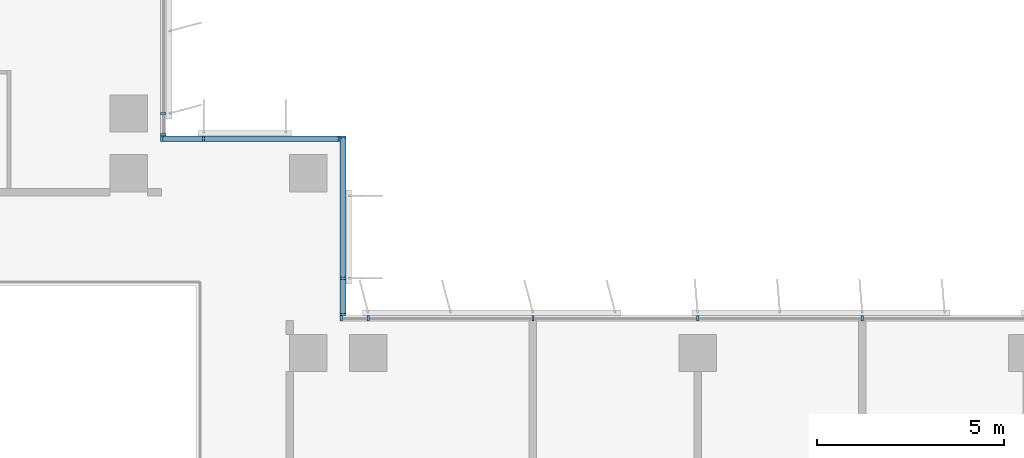
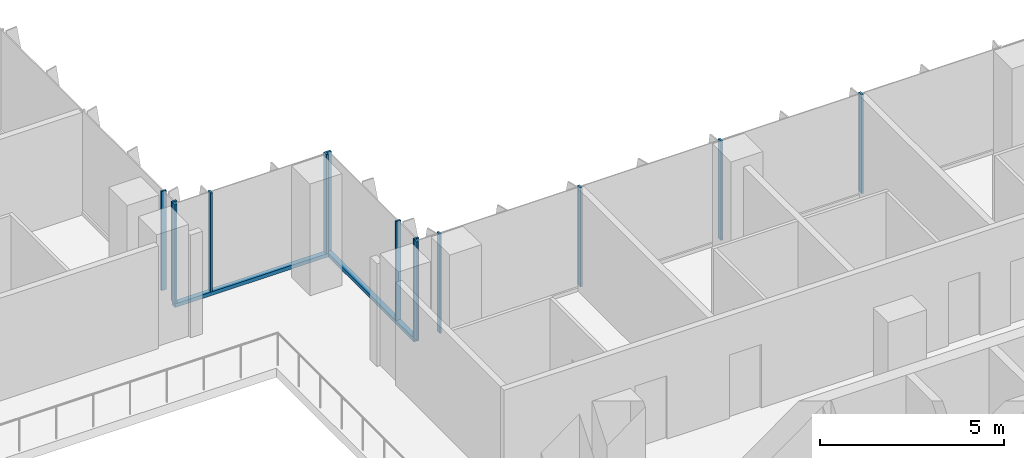
# One storey, part 2 of 21: 15 members, 4 elements without a shape of their own.
"""IFC4 building model written with IfcOpenShell, lengths in metres."""

from ifc_helpers import new_model, si_unit, direction, frame, origin, origin_2d, place, context, subcontext, project, spatial, rectangle, extrude, source, transform, mapped, material, material_profile, profile_set, type_object, element, aggregate, save


model = new_model("IFC4")

# Units and contexts
model_context = context("Model", 3, precision=1e-05, world=origin(), true_north=direction((0.0, 1.0)))
body_context = subcontext(model_context, "Body", "Model", "MODEL_VIEW")
ifc_project = project(units=[si_unit("LENGTHUNIT", "METRE"), si_unit("AREAUNIT", "SQUARE_METRE"), si_unit("VOLUMEUNIT", "CUBIC_METRE"), si_unit("PLANEANGLEUNIT", "RADIAN"), si_unit("MASSUNIT", "GRAM", prefix="KILO")], contexts=[model_context])

# Site, building, storey
site_placement = place(None, origin())
site = spatial("IfcSite", under=ifc_project, at=site_placement, CompositionType="ELEMENT")
building_placement = place(site_placement, origin())
building = spatial("IfcBuilding", under=site, at=building_placement, Name="Kemantara Hotel Tower", CompositionType="ELEMENT")
storey_placement = place(building_placement, frame((0.0, 0.0, 215.39990234375)))
storey = spatial("IfcBuildingStorey", under=building, at=storey_placement, Name="L53", CompositionType="ELEMENT", Elevation=215.39990234375)

# Curtain wall, member
ifc_material_1 = material(Name="Low-E tinted double insulated glass 36 mm", Category="glass")
curtain_wall_type = type_object("IfcCurtainWallType", Name="TOWER CURTAIN WALL, FRONT FACES", PredefinedType="USERDEFINED", material=ifc_material_1)
curtain_wall_1_placement = place(storey_placement, origin())
curtain_wall_1 = element("IfcCurtainWall", 1, at=curtain_wall_1_placement, inside=storey, type_object=curtain_wall_type, Name="CW4 L53 T3-R15-1", ObjectType="TOWER CURTAIN WALL, FRONT FACES", PredefinedType="USERDEFINED")
ifc_material_2 = material(Name="Aluminium 6063-T6 bronze anodised", Category="aluminium")
ifc_material_profile_1 = material_profile(ifc_material_2, rectangle(XDim=0.14990234375, YDim=0.1201171875, at=origin_2d()), Name="TOWER CURTAIN WALL, FRONT FACES TRANSOM")
ifc_profile_set_1 = profile_set([ifc_material_profile_1], Name="Aluminium 6063-T6 bronze anodised")
member_type_1 = type_object("IfcMemberType", Name="TOWER CURTAIN WALL, FRONT FACES TRANSOM", PredefinedType="USERDEFINED", material=ifc_profile_set_1)
member_1_placement = place(storey_placement, frame((26.72509765625, 22.0, 0.06005859375), z_axis=(0.0, 1.0, 0.0), x_axis=(-1.0, 0.0, 0.0)))
member_1 = element("IfcMember", 2, at=member_1_placement, type_object=member_type_1, Name="CW4 sill transom T3-R15-1", ObjectType="TRANSOM", PredefinedType="USERDEFINED", context=body_context, shape_type="SweptSolid", body=[
    extrude(rectangle(XDim=0.14990234375, YDim=0.1201171875, at=origin_2d()), origin(), (0.0, 0.0, 1.0), 4.800048828125),
])

curtain_wall_2_placement = place(storey_placement, origin())
curtain_wall_2 = element("IfcCurtainWall", 3, at=curtain_wall_2_placement, inside=storey, type_object=curtain_wall_type, Name="CW4 L53 T3-R16-1", ObjectType="TOWER CURTAIN WALL, FRONT FACES", PredefinedType="USERDEFINED")
member_2_placement = place(storey_placement, frame((26.64990234375, 26.72509765625, 0.06005859375), z_axis=(-1.0, 0.0, 0.0), x_axis=(0.0, -1.0, 0.0)))
member_2 = element("IfcMember", 4, at=member_2_placement, type_object=member_type_1, Name="CW4 sill transom T3-R16-1", ObjectType="TRANSOM", PredefinedType="USERDEFINED", context=body_context, shape_type="SweptSolid", body=[
    extrude(rectangle(XDim=0.14990234375, YDim=0.1201171875, at=origin_2d()), origin(), (0.0, 0.0, 1.0), 4.7998046875),
])

# Curtain wall, members
curtain_wall_3_placement = place(storey_placement, origin())
curtain_wall_3 = element("IfcCurtainWall", 5, at=curtain_wall_3_placement, inside=storey, type_object=curtain_wall_type, Name="CW4 L53 T3-R14-1", ObjectType="TOWER CURTAIN WALL, FRONT FACES", PredefinedType="USERDEFINED")
ifc_material_profile_2 = material_profile(ifc_material_2, rectangle(XDim=0.14990234375, YDim=0.06005859375, at=origin_2d()), Name="TOWER CURTAIN WALL, FRONT FACES MULLION")
ifc_profile_set_2 = profile_set([ifc_material_profile_2], Name="Aluminium 6063-T6 bronze anodised")
member_type_2 = type_object("IfcMemberType", Name="TOWER CURTAIN WALL, FRONT FACES MULLION", PredefinedType="MULLION", material=ifc_profile_set_2)
shared_shape = source(origin(), body_context, "Body", "SweptSolid", [
    extrude(rectangle(XDim=0.14990234375, YDim=0.06005859375, at=origin_2d()), origin(), (0.0, 0.0, 1.0), 3.280029296875),
])
member_3_placement = place(storey_placement, frame((40.60009765625, 21.925048828125, 0.1201171875), z_axis=(0.0, 0.0, 1.0), x_axis=(0.0, -1.0, 0.0)))
member_3 = element("IfcMember", 6, at=member_3_placement, type_object=member_type_2, Name="CW4 mullion T3-R14-1.6", PredefinedType="MULLION", context=body_context, shape_type="MappedRepresentation", body=[
    mapped(shared_shape, transform((0.0, 0.0, 0.0))),
])
member_4_placement = place(storey_placement, frame((36.199951171875, 21.925048828125, 0.1201171875), z_axis=(0.0, 0.0, 1.0), x_axis=(0.0, -1.0, 0.0)))
member_4 = element("IfcMember", 7, at=member_4_placement, type_object=member_type_2, Name="CW4 mullion T3-R14-1.7", PredefinedType="MULLION", context=body_context, shape_type="MappedRepresentation", body=[
    mapped(shared_shape, transform((0.0, 0.0, 0.0))),
])
member_5_placement = place(storey_placement, frame((31.800048828125, 21.925048828125, 0.1201171875), z_axis=(0.0, 0.0, 1.0), x_axis=(0.0, -1.0, 0.0)))
member_5 = element("IfcMember", 8, at=member_5_placement, type_object=member_type_2, Name="CW4 mullion T3-R14-1.8", PredefinedType="MULLION", context=body_context, shape_type="MappedRepresentation", body=[
    mapped(shared_shape, transform((0.0, 0.0, 0.0))),
])
member_6_placement = place(storey_placement, frame((27.39990234375, 21.925048828125, 0.1201171875), z_axis=(0.0, 0.0, 1.0), x_axis=(0.0, -1.0, 0.0)))
member_6 = element("IfcMember", 9, at=member_6_placement, type_object=member_type_2, Name="CW4 mullion T3-R14-1.9", PredefinedType="MULLION", context=body_context, shape_type="MappedRepresentation", body=[
    mapped(shared_shape, transform((0.0, 0.0, 0.0))),
])
member_7_placement = place(storey_placement, frame((26.679931640625, 21.925048828125, 0.1201171875), z_axis=(0.0, 0.0, 1.0), x_axis=(0.0, -1.0, 0.0)))
member_7 = element("IfcMember", 10, at=member_7_placement, type_object=member_type_2, Name="CW4 mullion T3-R14-1.10", PredefinedType="MULLION", context=body_context, shape_type="MappedRepresentation", body=[
    mapped(shared_shape, transform((0.0, 0.0, 0.0))),
])
aggregate(curtain_wall_3, [member_3, member_4, member_5, member_6, member_7])

# Member
member_8_placement = place(storey_placement, frame((26.72509765625, 22.030029296875, 0.1201171875), z_axis=(0.0, 0.0, 1.0), x_axis=(-1.0, 0.0, 0.0)))
member_8 = element("IfcMember", 11, at=member_8_placement, type_object=member_type_2, Name="CW4 mullion T3-R15-1.1", PredefinedType="MULLION", context=body_context, shape_type="MappedRepresentation", body=[
    mapped(shared_shape, transform((0.0, 0.0, 0.0))),
])

member_9_placement = place(storey_placement, frame((26.72509765625, 23.0, 0.1201171875), z_axis=(0.0, 0.0, 1.0), x_axis=(-1.0, 0.0, 0.0)))
member_9 = element("IfcMember", 12, at=member_9_placement, type_object=member_type_2, Name="CW4 mullion T3-R15-1.2", PredefinedType="MULLION", context=body_context, shape_type="MappedRepresentation", body=[
    mapped(shared_shape, transform((0.0, 0.0, 0.0))),
])

member_10_placement = place(storey_placement, frame((26.72509765625, 26.77001953125, 0.1201171875), z_axis=(0.0, 0.0, 1.0), x_axis=(-1.0, 0.0, 0.0)))
member_10 = element("IfcMember", 13, at=member_10_placement, type_object=member_type_2, Name="CW4 mullion T3-R15-1.3", PredefinedType="MULLION", context=body_context, shape_type="MappedRepresentation", body=[
    mapped(shared_shape, transform((0.0, 0.0, 0.0))),
])

aggregate(curtain_wall_1, [member_1, member_8, member_9, member_10])

member_11_placement = place(storey_placement, frame((26.6201171875, 26.72509765625, 0.1201171875), z_axis=(0.0, 0.0, 1.0), x_axis=(0.0, -1.0, 0.0)))
member_11 = element("IfcMember", 14, at=member_11_placement, type_object=member_type_2, Name="CW4 mullion T3-R16-1.1", PredefinedType="MULLION", context=body_context, shape_type="MappedRepresentation", body=[
    mapped(shared_shape, transform((0.0, 0.0, 0.0))),
])

member_12_placement = place(storey_placement, frame((23.0, 26.72509765625, 0.1201171875), z_axis=(0.0, 0.0, 1.0), x_axis=(0.0, -1.0, 0.0)))
member_12 = element("IfcMember", 15, at=member_12_placement, type_object=member_type_2, Name="CW4 mullion T3-R16-1.2", PredefinedType="MULLION", context=body_context, shape_type="MappedRepresentation", body=[
    mapped(shared_shape, transform((0.0, 0.0, 0.0))),
])

member_13_placement = place(storey_placement, frame((21.8798828125, 26.72509765625, 0.1201171875), z_axis=(0.0, 0.0, 1.0), x_axis=(0.0, -1.0, 0.0)))
member_13 = element("IfcMember", 16, at=member_13_placement, type_object=member_type_2, Name="CW4 mullion T3-R16-1.3", PredefinedType="MULLION", context=body_context, shape_type="MappedRepresentation", body=[
    mapped(shared_shape, transform((0.0, 0.0, 0.0))),
])

aggregate(curtain_wall_2, [member_2, member_11, member_12, member_13])

# Curtain wall, members
curtain_wall_4_placement = place(storey_placement, origin())
curtain_wall_4 = element("IfcCurtainWall", 17, at=curtain_wall_4_placement, inside=storey, type_object=curtain_wall_type, Name="CW4 L53 T3-R17-1", ObjectType="TOWER CURTAIN WALL, FRONT FACES", PredefinedType="USERDEFINED")
member_14_placement = place(storey_placement, frame((21.925048828125, 26.830078125, 0.1201171875), z_axis=(0.0, 0.0, 1.0), x_axis=(-1.0, 0.0, 0.0)))
member_14 = element("IfcMember", 18, at=member_14_placement, type_object=member_type_2, Name="CW4 mullion T3-R17-1.1", PredefinedType="MULLION", context=body_context, shape_type="MappedRepresentation", body=[
    mapped(shared_shape, transform((0.0, 0.0, 0.0))),
])
member_15_placement = place(storey_placement, frame((21.925048828125, 27.39990234375, 0.1201171875), z_axis=(0.0, 0.0, 1.0), x_axis=(-1.0, 0.0, 0.0)))
member_15 = element("IfcMember", 19, at=member_15_placement, type_object=member_type_2, Name="CW4 mullion T3-R17-1.2", PredefinedType="MULLION", context=body_context, shape_type="MappedRepresentation", body=[
    mapped(shared_shape, transform((0.0, 0.0, 0.0))),
])
aggregate(curtain_wall_4, [member_14, member_15])

save(model, "model.ifc")
